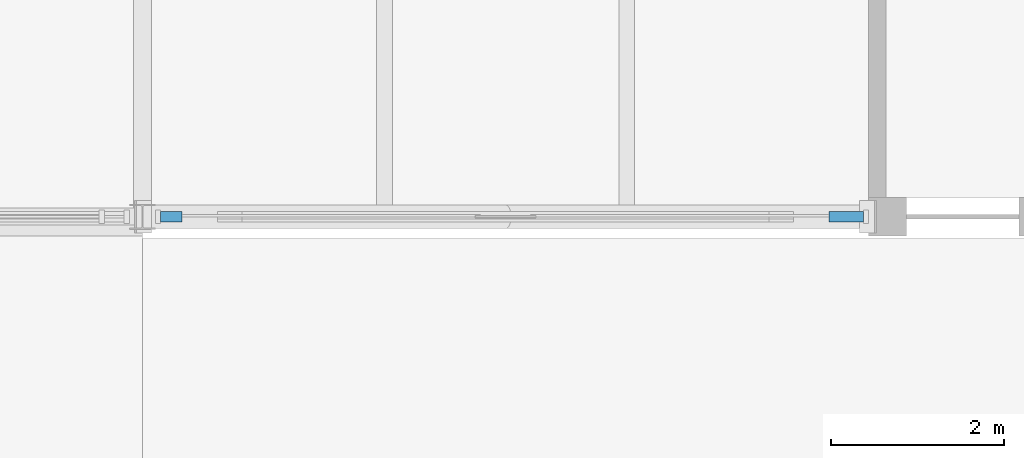
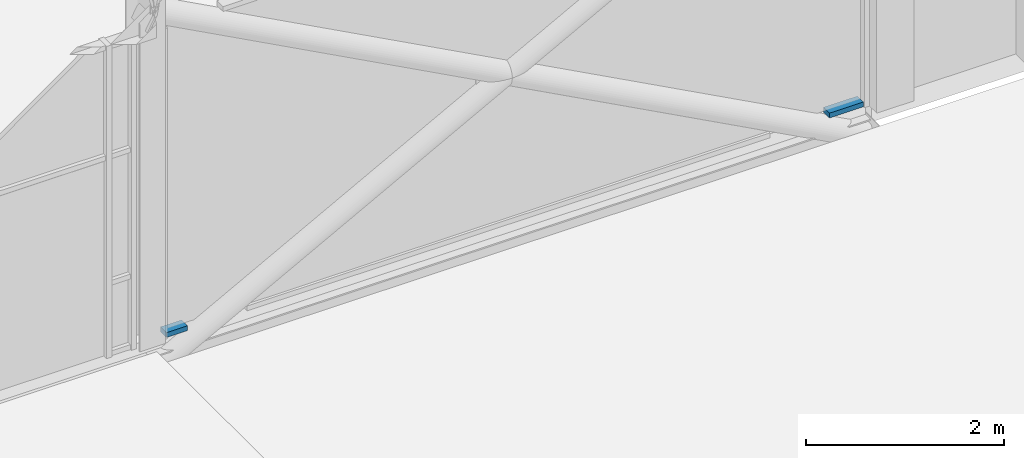
# One storey, part 67 of 116: 2 members, 1 element without a shape of its own.
"""IFC4 building model written with IfcOpenShell, lengths in metres."""

import ifcopenshell
import ifcopenshell.guid

model = None  # the IFC model being written
_history = None  # IfcOwnerHistory: only IFC2X3 demands one
_inside = {}  # id of a spatial element -> (the spatial element, [elements in it])
_under = {}  # id of a project, library or spatial element -> (it, [spatial elements below it])
_declared = {}  # id of a project -> (the project, [libraries it declares])
_typed = {}  # id of a type object -> (the type object, [elements of that type])
_made_of = {}  # id of a material, layer set ... -> (it, [elements and type objects made of it])


def new_model(schema):
    """Start an empty IFC model of exactly this schema.

    Asked for "IFC4X3", IfcOpenShell would pick the latest addendum, in which some entities
    have other attributes; the version numbers below select the first issue.
    IFC2X3 requires an IfcOwnerHistory on every rooted entity: one is made here for all.
    """
    global model, _history
    if schema == "IFC4X3":
        model = ifcopenshell.file(schema_version=(4, 3, 0, 0))
    else:
        model = ifcopenshell.file(schema=schema)
    _inside.clear()
    _under.clear()
    _declared.clear()
    _typed.clear()
    _made_of.clear()
    _history = None
    if model.schema == "IFC2X3":
        org = make("IfcOrganization", Name="unknown")
        user = make(
            "IfcPersonAndOrganization",
            ThePerson=make("IfcPerson", FamilyName="unknown"),
            TheOrganization=org,
        )
        app = make(
            "IfcApplication",
            ApplicationDeveloper=org,
            Version="unknown",
            ApplicationFullName="unknown",
            ApplicationIdentifier="unknown",
        )
        _history = make(
            "IfcOwnerHistory",
            OwningUser=user,
            OwningApplication=app,
            ChangeAction="ADDED",
            CreationDate=0,
        )
    return model


def make(cls, **values):
    """One entity of the class cls with the attributes given. An attribute that is None is left unset."""
    return model.create_entity(
        cls, **{name: value for name, value in values.items() if value is not None}
    )


def rooted(cls, **values):
    """An entity with a GlobalId (a new one), such as an element, a storey or a relation."""
    return make(cls, GlobalId=ifcopenshell.guid.new(), OwnerHistory=_history, **values)


def si_unit(unit_type, name, prefix=None):
    """IfcSIUnit, for example si_unit("LENGTHUNIT", "METRE", prefix="MILLI")."""
    return make("IfcSIUnit", UnitType=unit_type, Prefix=prefix, Name=name)


def assignment(units):
    """IfcUnitAssignment: the units of a project."""
    return None if units is None else make("IfcUnitAssignment", Units=units)


def point(xyz):
    """IfcCartesianPoint."""
    return None if xyz is None else make("IfcCartesianPoint", Coordinates=xyz)


def direction(xyz):
    """IfcDirection."""
    return None if xyz is None else make("IfcDirection", DirectionRatios=xyz)


def frame(location, z_axis=None, x_axis=None):
    """IfcAxis2Placement3D, a coordinate frame: its origin and axes. An axis left out is left unset."""
    return make(
        "IfcAxis2Placement3D",
        Location=point(location),
        Axis=direction(z_axis),
        RefDirection=direction(x_axis),
    )


def frame_2d(location, x_axis=None):
    """IfcAxis2Placement2D, a coordinate frame in the plane: its origin and x axis."""
    return make(
        "IfcAxis2Placement2D", Location=point(location), RefDirection=direction(x_axis)
    )


def origin():
    """The frame at (0, 0, 0) with its axes left unset."""
    return frame((0.0, 0.0, 0.0))


def origin_2d():
    """The frame at (0, 0) in the plane with its x axis left unset."""
    return frame_2d((0.0, 0.0))


def place(relative_to, where):
    """IfcLocalPlacement: puts the frame where relative to a parent placement (None: the world)."""
    return make(
        "IfcLocalPlacement", PlacementRelTo=relative_to, RelativePlacement=where
    )


def context(
    kind, dimensions, precision=None, world=None, true_north=None, identifier=None
):
    """IfcGeometricRepresentationContext, for example the 3D "Model" context."""
    return make(
        "IfcGeometricRepresentationContext",
        ContextIdentifier=identifier,
        ContextType=kind,
        CoordinateSpaceDimension=dimensions,
        Precision=precision,
        WorldCoordinateSystem=world,
        TrueNorth=true_north,
    )


def subcontext(parent, identifier, kind, view, scale=None):
    """IfcGeometricRepresentationSubContext, for example "Body" below "Model"."""
    return make(
        "IfcGeometricRepresentationSubContext",
        ContextIdentifier=identifier,
        ContextType=kind,
        ParentContext=parent,
        TargetScale=scale,
        TargetView=view,
    )


def project(units=None, contexts=None):
    """IfcProject with its units and contexts."""
    return rooted(
        "IfcProject",
        Name="project",
        RepresentationContexts=contexts,
        UnitsInContext=assignment(units),
    )


def spatial(cls, under=None, at=None, **own):
    """A site, building, storey or space (cls), placed at a placement, below another one or the project."""
    s = rooted(cls, ObjectPlacement=at, **own)
    if under is not None:
        _under.setdefault(under.id(), (under, []))[1].append(s)
    return s


def profile(cls, at=None, kind="AREA", **sizes):
    """A parametric profile (cls). Its sizes go by their IFC names, for example OverallWidth=200.0."""
    return make(cls, ProfileType=kind, Position=at, **sizes)


def rectangle(**sizes):
    """IfcRectangleProfileDef."""
    return profile("IfcRectangleProfileDef", **sizes)


def extrude(swept, where, along, depth):
    """IfcExtrudedAreaSolid: the profile swept, set in the frame where, extruded along a direction by depth."""
    return make(
        "IfcExtrudedAreaSolid",
        SweptArea=swept,
        Position=where,
        ExtrudedDirection=direction(along),
        Depth=depth,
    )


def shape(context_of_items, identifier, shape_type, items):
    """IfcShapeRepresentation: the items that make up one representation, for example the "Body"."""
    return make(
        "IfcShapeRepresentation",
        ContextOfItems=context_of_items,
        RepresentationIdentifier=identifier,
        RepresentationType=shape_type,
        Items=items,
    )


def material(Name=None, Category=None):
    """IfcMaterial."""
    return make("IfcMaterial", Name=Name, Category=Category)


def layer(
    of_material, thickness, ventilated=None, Name=None, Category=None, Priority=None
):
    """IfcMaterialLayer: one layer of a wall or slab, of a material (None: an air gap)."""
    return make(
        "IfcMaterialLayer",
        Material=of_material,
        LayerThickness=thickness,
        IsVentilated=ventilated,
        Name=Name,
        Category=Category,
        Priority=Priority,
    )


def layer_set(layers, Name=None):
    """IfcMaterialLayerSet."""
    return make("IfcMaterialLayerSet", MaterialLayers=layers, LayerSetName=Name)


def material_profile(
    of_material, cross_section, Name=None, Category=None, Priority=None
):
    """IfcMaterialProfile: a cross section and its material."""
    return make(
        "IfcMaterialProfile",
        Name=Name,
        Material=of_material,
        Profile=cross_section,
        Priority=Priority,
        Category=Category,
    )


def profile_set(profiles, Name=None, composite=None):
    """IfcMaterialProfileSet."""
    return make(
        "IfcMaterialProfileSet",
        Name=Name,
        MaterialProfiles=profiles,
        CompositeProfile=composite,
    )


def made_of(thing, what):
    """Note that an element or type object is made of a material, layer set ...; save() writes the relation."""
    if what is not None:
        _made_of.setdefault(what.id(), (what, []))[1].append(thing)
    return thing


def type_object(cls, material=None, **own):
    """A type object (cls), such as IfcWallType, which elements share."""
    return made_of(rooted(cls, **own), material)


def element(
    cls,
    number,
    at=None,
    inside=None,
    cuts=None,
    type_object=None,
    material=None,
    context=None,
    identifier="Body",
    shape_type=None,
    held_by="IfcProductDefinitionShape",
    body=None,
    shapes=None,
    **own,
):
    """One element of the class cls, such as IfcWall. Its Tag is "e" and its number.

    at: its placement. inside: the storey or other place that contains it. cuts: it is an
    opening in that element (IfcRelVoidsElement). A single representation is given by context,
    identifier, shape_type and body (its items); several are given by shapes. held_by: the class
    of the entity that holds the representations. save() writes the other relations.
    """
    e = rooted(cls, Tag="e%d" % number, ObjectPlacement=at, **own)
    if body is not None:
        shapes = [shape(context, identifier, shape_type, body)]
    if shapes is not None:
        e.Representation = make(held_by, Representations=shapes)
    if inside is not None:
        _inside.setdefault(inside.id(), (inside, []))[1].append(e)
    if cuts is not None:
        rooted(
            "IfcRelVoidsElement", RelatingBuildingElement=cuts, RelatedOpeningElement=e
        )
    if type_object is not None:
        _typed.setdefault(type_object.id(), (type_object, []))[1].append(e)
    return made_of(e, material)


def aggregate(whole, parts):
    """IfcRelAggregates: a whole, such as a stair, and the parts it consists of."""
    return rooted("IfcRelAggregates", RelatingObject=whole, RelatedObjects=parts)


def save(model, path):
    """Write the relations noted so far, then the file.

    IfcRelAggregates (storeys below a building ...), IfcRelContainedInSpatialStructure (elements
    in a storey), IfcRelDefinesByType, IfcRelAssociatesMaterial and IfcRelDeclares: one each for
    every whole, place, type object, material and project.
    """
    for whole, parts in _under.values():
        aggregate(whole, parts)
    for where, things in _inside.values():
        rooted(
            "IfcRelContainedInSpatialStructure",
            RelatedElements=things,
            RelatingStructure=where,
        )
    for kind, things in _typed.values():
        rooted("IfcRelDefinesByType", RelatedObjects=things, RelatingType=kind)
    for what, things in _made_of.values():
        rooted("IfcRelAssociatesMaterial", RelatedObjects=things, RelatingMaterial=what)
    for by, libraries in _declared.values():
        rooted("IfcRelDeclares", RelatingContext=by, RelatedDefinitions=libraries)
    model.write(path)


model = new_model("IFC4")

# Units and contexts
model_context = context("Model", 3, precision=1e-05, world=origin(), true_north=direction((0.0, 1.0)))
body_context = subcontext(model_context, "Body", "Model", "MODEL_VIEW")
ifc_project = project(units=[si_unit("LENGTHUNIT", "METRE"), si_unit("AREAUNIT", "SQUARE_METRE"), si_unit("VOLUMEUNIT", "CUBIC_METRE"), si_unit("PLANEANGLEUNIT", "RADIAN"), si_unit("MASSUNIT", "GRAM", prefix="KILO")], contexts=[model_context])

# Site, building, storey
site_placement = place(None, origin())
site = spatial("IfcSite", under=ifc_project, at=site_placement, CompositionType="ELEMENT")
building_placement = place(site_placement, origin())
building = spatial("IfcBuilding", under=site, at=building_placement, Name="Ardhachandra Cancer Care Centre", CompositionType="ELEMENT")
storey_placement = place(building_placement, origin())
storey = spatial("IfcBuildingStorey", under=building, at=storey_placement, Name="L00", CompositionType="ELEMENT", Elevation=0.0)

# Curtain wall, members
ifc_material_1 = material(Name="Aluminium extrusion", Category="aluminium")
ifc_layer = layer(ifc_material_1, 0.14990234375)
ifc_layer_set = layer_set([ifc_layer], Name="Aluminium extrusion")
curtain_wall_type = type_object("IfcCurtainWallType", Name="Curtain wall run", PredefinedType="NOTDEFINED", material=ifc_layer_set)
curtain_wall_placement = place(storey_placement, origin())
curtain_wall = element("IfcCurtainWall", 1, at=curtain_wall_placement, inside=storey, type_object=curtain_wall_type, Name="Curtain wall L00 s/0027600_0029400", PredefinedType="NOTDEFINED")
ifc_material_2 = material(Name="Aluminium extrusion", Category="aluminium")
ifc_material_profile = material_profile(ifc_material_2, rectangle(XDim=0.1201171875, YDim=0.06005859375, at=origin_2d()), Name="Curtain wall transom 60 x 120")
ifc_profile_set = profile_set([ifc_material_profile], Name="Aluminium extrusion")
member_type = type_object("IfcMemberType", Name="Curtain wall transom 60 x 120", PredefinedType="USERDEFINED", material=ifc_profile_set)
member_1_placement = place(storey_placement, frame((27.81005859375, 29.39990234375, 0.030029296875), z_axis=(1.0, 0.0, 0.0), x_axis=(0.0, 1.0, 0.0)))
member_1 = element("IfcMember", 2, at=member_1_placement, type_object=member_type, Name="CW transom 1.1", ObjectType="TRANSOM", PredefinedType="USERDEFINED", context=body_context, shape_type="SweptSolid", body=[
    extrude(rectangle(XDim=0.1201171875, YDim=0.06005859375, at=origin_2d()), origin(), (0.0, 0.0, 1.0), 0.245361328125),
])
member_2_placement = place(storey_placement, frame((35.54443359375, 29.39990234375, 0.030029296875), z_axis=(1.0, 0.0, 0.0), x_axis=(0.0, 1.0, 0.0)))
member_2 = element("IfcMember", 3, at=member_2_placement, type_object=member_type, Name="CW transom 1.1", ObjectType="TRANSOM", PredefinedType="USERDEFINED", context=body_context, shape_type="SweptSolid", body=[
    extrude(rectangle(XDim=0.1201171875, YDim=0.06005859375, at=origin_2d()), origin(), (0.0, 0.0, 1.0), 0.3955078125),
])
aggregate(curtain_wall, [member_1, member_2])

save(model, "model.ifc")
